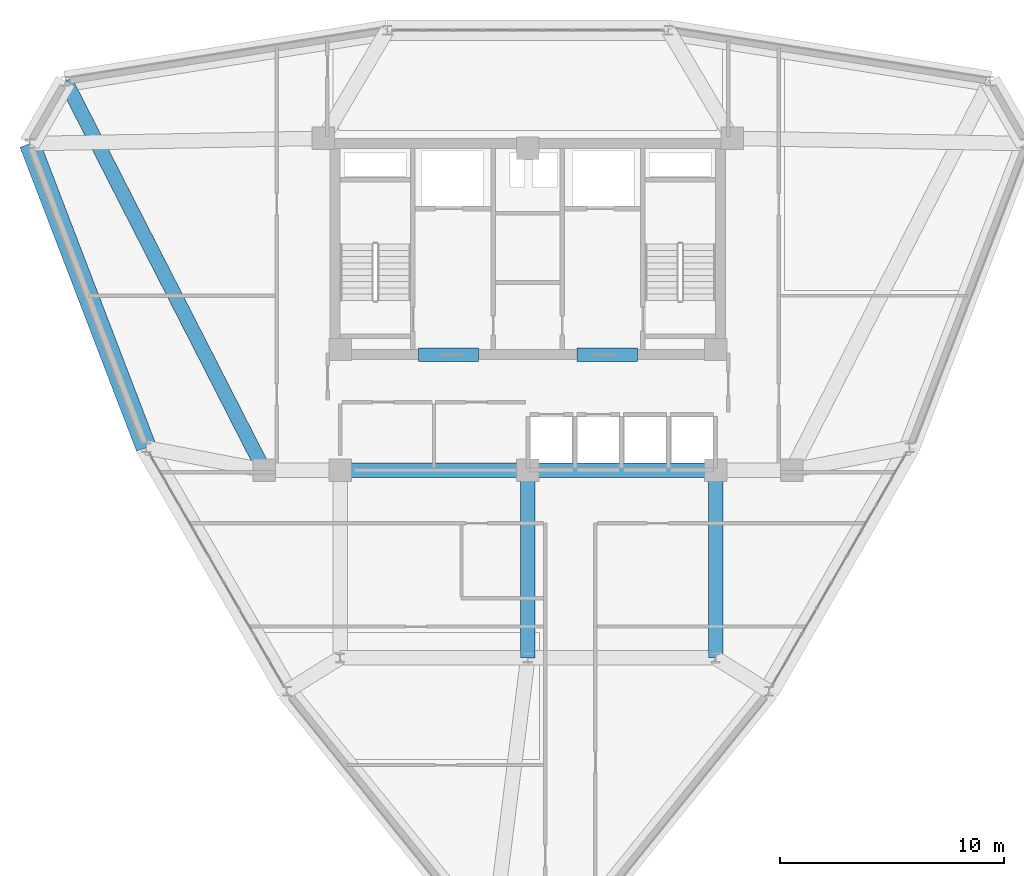
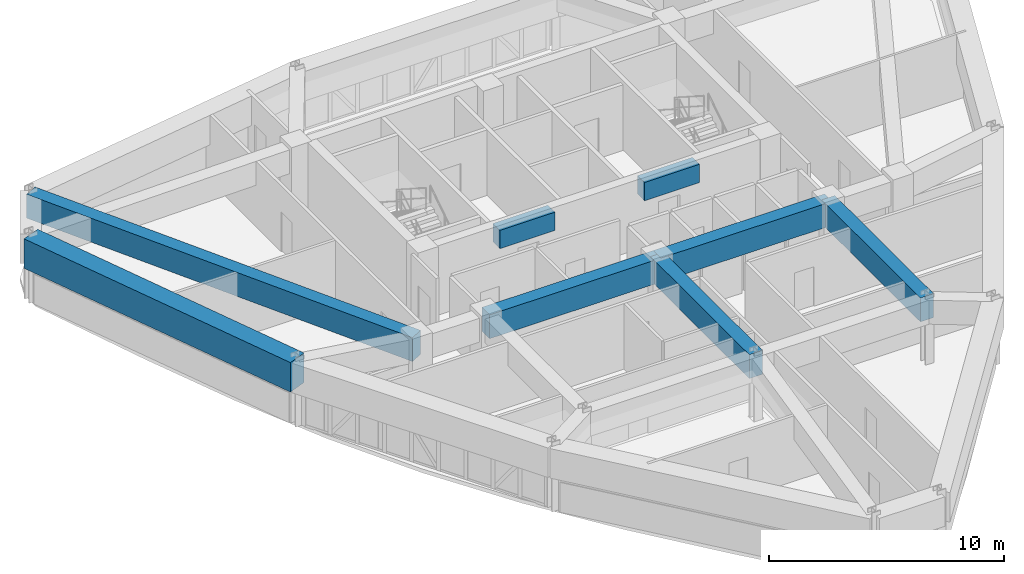
# One storey, part 5 of 13: 8 beams.
"""IFC4 building model written with IfcOpenShell, lengths in metres."""

from ifc_helpers import new_model, si_unit, derived_unit, direction, frame, origin, origin_2d, place, context, subcontext, project, spatial, rectangle, extrude, source, transform, mapped, material, material_profile, profile_set, type_object, element, save


model = new_model("IFC4")

# Units and contexts
model_context = context("Model", 3, precision=1e-05, world=origin(), true_north=direction((0.0, 1.0)))
body_context = subcontext(model_context, "Body", "Model", "MODEL_VIEW")
ifc_project = project(units=[si_unit("LENGTHUNIT", "METRE"), si_unit("AREAUNIT", "SQUARE_METRE"), si_unit("VOLUMEUNIT", "CUBIC_METRE"), si_unit("PLANEANGLEUNIT", "RADIAN"), si_unit("MASSUNIT", "GRAM", prefix="KILO"), derived_unit("THERMALTRANSMITTANCEUNIT", [(si_unit("POWERUNIT", "WATT"), 1), (si_unit("LENGTHUNIT", "METRE"), -2), (si_unit("THERMODYNAMICTEMPERATUREUNIT", "KELVIN"), -1)])], contexts=[model_context])

# Site, building, storey
site_placement = place(None, origin())
site = spatial("IfcSite", under=ifc_project, at=site_placement, CompositionType="ELEMENT")
building_placement = place(site_placement, origin())
building = spatial("IfcBuilding", under=site, at=building_placement, Name="Korsvarv Bourse and Concert Hall", CompositionType="ELEMENT")
storey_placement = place(building_placement, frame((0.0, 0.0, 183.0)))
storey = spatial("IfcBuildingStorey", under=building, at=storey_placement, Name="L47", CompositionType="ELEMENT", Elevation=183.0)

# Beams
ifc_material_1 = material(Name="Concrete C55/67", Category="concrete")
ifc_material_profile_1 = material_profile(ifc_material_1, rectangle(XDim=0.60009765625, YDim=0.949951171875, at=origin_2d()), Name="RC-BM 600x950")
ifc_profile_set_1 = profile_set([ifc_material_profile_1], Name="Concrete C55/67")
beam_type_1 = type_object("IfcBeamType", Name="BM-CPL", PredefinedType="LINTEL", material=ifc_profile_set_1)
shared_shape_1 = source(origin(), body_context, "Body", "SweptSolid", [
    extrude(rectangle(XDim=0.60009765625, YDim=0.949951171875, at=origin_2d()), origin(), (0.0, 0.0, 1.0), 2.699951171875),
])
for number, where, z_axis, x_axis, name in (
    (1, (31.10009765625, 37.574951171875, 2.925048828125), (1.0, 0.0, 0.0), (0.0, 1.0, 0.0), "L47 Core Coupling Beam West"),
    (2, (38.199951171875, 37.574951171875, 2.925048828125), (1.0, 0.0, 0.0), (0.0, 1.0, 0.0), "L47 Core Coupling Beam East"),
):
    element("IfcBeam", number, at=place(storey_placement, frame(where, z_axis=z_axis, x_axis=x_axis)), inside=storey, type_object=beam_type_1, Name=name, PredefinedType="LINTEL", context=body_context, shape_type="MappedRepresentation", body=[
        mapped(shared_shape_1, transform((0.0, 0.0, 0.0), scale=1.0)),
    ])
ifc_material_2 = material(Name="Concrete C50/60", Category="concrete")
ifc_material_profile_2 = material_profile(ifc_material_2, rectangle(XDim=0.64990234375, YDim=1.239990234375, at=origin_2d()), Name="RC-BM 650x1240")
ifc_profile_set_2 = profile_set([ifc_material_profile_2], Name="Concrete C50/60")
beam_type_2 = type_object("IfcBeamType", Name="BM-TR-SPN", PredefinedType="BEAM", material=ifc_profile_set_2)
shared_shape_2 = source(origin(), body_context, "Body", "SweptSolid", [
    extrude(rectangle(XDim=0.64990234375, YDim=1.239990234375, at=origin_2d()), origin(), (0.0, 0.0, 1.0), 8.39990234375),
])
for number, where, z_axis, x_axis, name in (
    (3, (27.60009765625, 32.39990234375, 2.780029296875), (1.0, 0.0, 0.0), (0.0, 1.0, 0.0), "L47 beam B-TRS"),
    (4, (36.0, 32.39990234375, 2.780029296875), (1.0, 0.0, 0.0), (0.0, 1.0, 0.0), "L47 beam B-TRS"),
    (5, (36.0, 24.0, 2.780029296875), (0.0, 1.0, 0.0), (-1.0, 0.0, 0.0), "L47 beam B-TRS"),
    (6, (44.39990234375, 24.0, 2.780029296875), (0.0, 1.0, 0.0), (-1.0, 0.0, 0.0), "L47 beam B-TRS"),
):
    element("IfcBeam", number, at=place(storey_placement, frame(where, z_axis=z_axis, x_axis=x_axis)), inside=storey, type_object=beam_type_2, Name=name, PredefinedType="BEAM", context=body_context, shape_type="MappedRepresentation", body=[
        mapped(shared_shape_2, transform((0.0, 0.0, 0.0), scale=1.0)),
    ])
ifc_material_profile_3 = material_profile(ifc_material_2, rectangle(XDim=0.919921875, YDim=1.530029296875, at=origin_2d()), Name="RC-BM 920x1530")
ifc_profile_set_3 = profile_set([ifc_material_profile_3], Name="Concrete C50/60")
beam_type_3 = type_object("IfcBeamType", Name="BM-TR-154", PredefinedType="BEAM", material=ifc_profile_set_3)
shared_shape_3 = source(origin(), body_context, "Body", "SweptSolid", [
    extrude(rectangle(XDim=0.919921875, YDim=1.530029296875, at=origin_2d()), origin(), (0.0, 0.0, 1.0), 14.573486328125),
])
beam_1_placement = place(storey_placement, frame((13.709716796875, 47.012939453125, 2.635009765625), z_axis=(0.358031436139, -0.933709532315, 0.0), x_axis=(0.933709532315, 0.358031436139, 0.0)))
element("IfcBeam", 7, at=beam_1_placement, inside=storey, type_object=beam_type_3, Name="L47 beam B-TR6", PredefinedType="BEAM", context=body_context, shape_type="MappedRepresentation", body=[
    mapped(shared_shape_3, transform((0.0, 0.0, 0.0), scale=1.0)),
])
shared_shape_4 = source(origin(), body_context, "Body", "SweptSolid", [
    extrude(rectangle(XDim=0.64990234375, YDim=1.239990234375, at=origin_2d()), origin(), (0.0, 0.0, 1.0), 19.5341796875),
])
beam_2_placement = place(storey_placement, frame((15.3173828125, 49.797607421875, 2.780029296875), z_axis=(0.454721683444, -0.890633589421, 0.0), x_axis=(0.890633589421, 0.454721683444, 0.0)))
element("IfcBeam", 8, at=beam_2_placement, inside=storey, type_object=beam_type_2, Name="L47 beam B-TRS", PredefinedType="BEAM", context=body_context, shape_type="MappedRepresentation", body=[
    mapped(shared_shape_4, transform((0.0, 0.0, 0.0), scale=1.0)),
])

save(model, "model.ifc")
